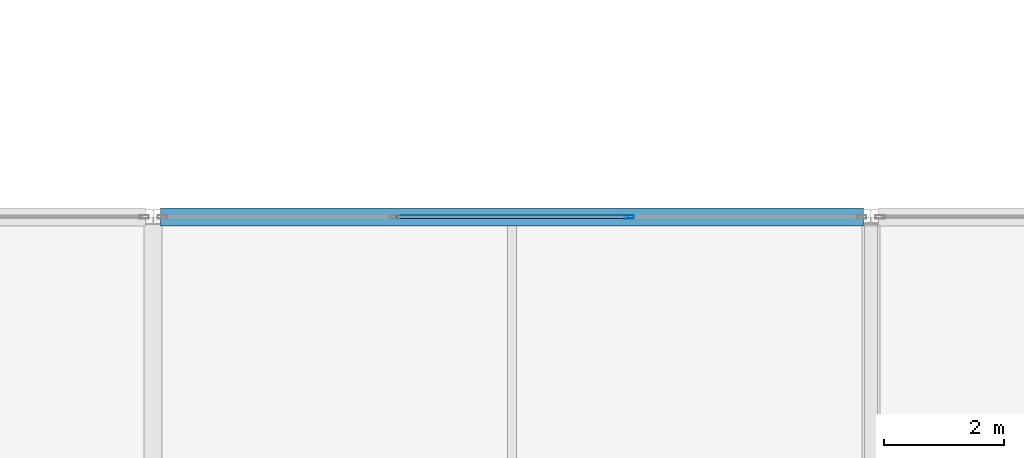
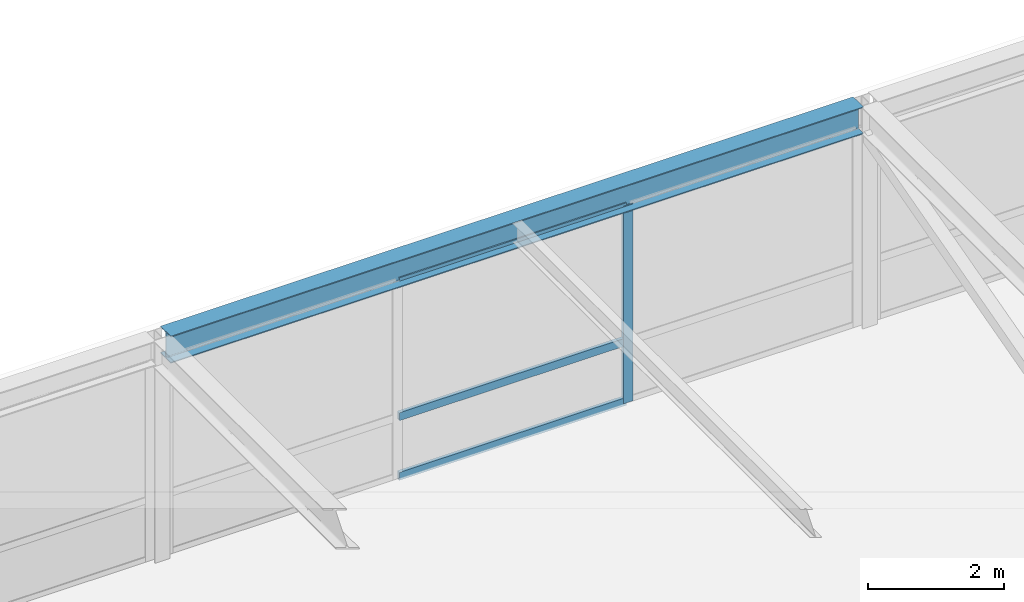
# One storey, part 31 of 111: 4 members, 1 beam, 1 element without a shape of its own.
"""IFC4 building model written with IfcOpenShell, lengths in metres."""

import ifcopenshell
import ifcopenshell.guid

model = None  # the IFC model being written
_history = None  # IfcOwnerHistory: only IFC2X3 demands one
_inside = {}  # id of a spatial element -> (the spatial element, [elements in it])
_under = {}  # id of a project, library or spatial element -> (it, [spatial elements below it])
_declared = {}  # id of a project -> (the project, [libraries it declares])
_typed = {}  # id of a type object -> (the type object, [elements of that type])
_made_of = {}  # id of a material, layer set ... -> (it, [elements and type objects made of it])


def new_model(schema):
    """Start an empty IFC model of exactly this schema.

    Asked for "IFC4X3", IfcOpenShell would pick the latest addendum, in which some entities
    have other attributes; the version numbers below select the first issue.
    IFC2X3 requires an IfcOwnerHistory on every rooted entity: one is made here for all.
    """
    global model, _history
    if schema == "IFC4X3":
        model = ifcopenshell.file(schema_version=(4, 3, 0, 0))
    else:
        model = ifcopenshell.file(schema=schema)
    _inside.clear()
    _under.clear()
    _declared.clear()
    _typed.clear()
    _made_of.clear()
    _history = None
    if model.schema == "IFC2X3":
        org = make("IfcOrganization", Name="unknown")
        user = make(
            "IfcPersonAndOrganization",
            ThePerson=make("IfcPerson", FamilyName="unknown"),
            TheOrganization=org,
        )
        app = make(
            "IfcApplication",
            ApplicationDeveloper=org,
            Version="unknown",
            ApplicationFullName="unknown",
            ApplicationIdentifier="unknown",
        )
        _history = make(
            "IfcOwnerHistory",
            OwningUser=user,
            OwningApplication=app,
            ChangeAction="ADDED",
            CreationDate=0,
        )
    return model


def make(cls, **values):
    """One entity of the class cls with the attributes given. An attribute that is None is left unset."""
    return model.create_entity(
        cls, **{name: value for name, value in values.items() if value is not None}
    )


def rooted(cls, **values):
    """An entity with a GlobalId (a new one), such as an element, a storey or a relation."""
    return make(cls, GlobalId=ifcopenshell.guid.new(), OwnerHistory=_history, **values)


def si_unit(unit_type, name, prefix=None):
    """IfcSIUnit, for example si_unit("LENGTHUNIT", "METRE", prefix="MILLI")."""
    return make("IfcSIUnit", UnitType=unit_type, Prefix=prefix, Name=name)


def assignment(units):
    """IfcUnitAssignment: the units of a project."""
    return None if units is None else make("IfcUnitAssignment", Units=units)


def point(xyz):
    """IfcCartesianPoint."""
    return None if xyz is None else make("IfcCartesianPoint", Coordinates=xyz)


def direction(xyz):
    """IfcDirection."""
    return None if xyz is None else make("IfcDirection", DirectionRatios=xyz)


def frame(location, z_axis=None, x_axis=None):
    """IfcAxis2Placement3D, a coordinate frame: its origin and axes. An axis left out is left unset."""
    return make(
        "IfcAxis2Placement3D",
        Location=point(location),
        Axis=direction(z_axis),
        RefDirection=direction(x_axis),
    )


def frame_2d(location, x_axis=None):
    """IfcAxis2Placement2D, a coordinate frame in the plane: its origin and x axis."""
    return make(
        "IfcAxis2Placement2D", Location=point(location), RefDirection=direction(x_axis)
    )


def origin():
    """The frame at (0, 0, 0) with its axes left unset."""
    return frame((0.0, 0.0, 0.0))


def origin_2d():
    """The frame at (0, 0) in the plane with its x axis left unset."""
    return frame_2d((0.0, 0.0))


def place(relative_to, where):
    """IfcLocalPlacement: puts the frame where relative to a parent placement (None: the world)."""
    return make(
        "IfcLocalPlacement", PlacementRelTo=relative_to, RelativePlacement=where
    )


def context(
    kind, dimensions, precision=None, world=None, true_north=None, identifier=None
):
    """IfcGeometricRepresentationContext, for example the 3D "Model" context."""
    return make(
        "IfcGeometricRepresentationContext",
        ContextIdentifier=identifier,
        ContextType=kind,
        CoordinateSpaceDimension=dimensions,
        Precision=precision,
        WorldCoordinateSystem=world,
        TrueNorth=true_north,
    )


def subcontext(parent, identifier, kind, view, scale=None):
    """IfcGeometricRepresentationSubContext, for example "Body" below "Model"."""
    return make(
        "IfcGeometricRepresentationSubContext",
        ContextIdentifier=identifier,
        ContextType=kind,
        ParentContext=parent,
        TargetScale=scale,
        TargetView=view,
    )


def project(units=None, contexts=None):
    """IfcProject with its units and contexts."""
    return rooted(
        "IfcProject",
        Name="project",
        RepresentationContexts=contexts,
        UnitsInContext=assignment(units),
    )


def spatial(cls, under=None, at=None, **own):
    """A site, building, storey or space (cls), placed at a placement, below another one or the project."""
    s = rooted(cls, ObjectPlacement=at, **own)
    if under is not None:
        _under.setdefault(under.id(), (under, []))[1].append(s)
    return s


def profile(cls, at=None, kind="AREA", **sizes):
    """A parametric profile (cls). Its sizes go by their IFC names, for example OverallWidth=200.0."""
    return make(cls, ProfileType=kind, Position=at, **sizes)


def hollow_rectangle(**sizes):
    """IfcRectangleHollowProfileDef."""
    return profile("IfcRectangleHollowProfileDef", **sizes)


def i_section(**sizes):
    """IfcIShapeProfileDef."""
    return profile("IfcIShapeProfileDef", **sizes)


def extrude(swept, where, along, depth):
    """IfcExtrudedAreaSolid: the profile swept, set in the frame where, extruded along a direction by depth."""
    return make(
        "IfcExtrudedAreaSolid",
        SweptArea=swept,
        Position=where,
        ExtrudedDirection=direction(along),
        Depth=depth,
    )


def shape(context_of_items, identifier, shape_type, items):
    """IfcShapeRepresentation: the items that make up one representation, for example the "Body"."""
    return make(
        "IfcShapeRepresentation",
        ContextOfItems=context_of_items,
        RepresentationIdentifier=identifier,
        RepresentationType=shape_type,
        Items=items,
    )


def material(Name=None, Category=None):
    """IfcMaterial."""
    return make("IfcMaterial", Name=Name, Category=Category)


def layer(
    of_material, thickness, ventilated=None, Name=None, Category=None, Priority=None
):
    """IfcMaterialLayer: one layer of a wall or slab, of a material (None: an air gap)."""
    return make(
        "IfcMaterialLayer",
        Material=of_material,
        LayerThickness=thickness,
        IsVentilated=ventilated,
        Name=Name,
        Category=Category,
        Priority=Priority,
    )


def layer_set(layers, Name=None):
    """IfcMaterialLayerSet."""
    return make("IfcMaterialLayerSet", MaterialLayers=layers, LayerSetName=Name)


def material_profile(
    of_material, cross_section, Name=None, Category=None, Priority=None
):
    """IfcMaterialProfile: a cross section and its material."""
    return make(
        "IfcMaterialProfile",
        Name=Name,
        Material=of_material,
        Profile=cross_section,
        Priority=Priority,
        Category=Category,
    )


def profile_set(profiles, Name=None, composite=None):
    """IfcMaterialProfileSet."""
    return make(
        "IfcMaterialProfileSet",
        Name=Name,
        MaterialProfiles=profiles,
        CompositeProfile=composite,
    )


def made_of(thing, what):
    """Note that an element or type object is made of a material, layer set ...; save() writes the relation."""
    if what is not None:
        _made_of.setdefault(what.id(), (what, []))[1].append(thing)
    return thing


def type_object(cls, material=None, **own):
    """A type object (cls), such as IfcWallType, which elements share."""
    return made_of(rooted(cls, **own), material)


def element(
    cls,
    number,
    at=None,
    inside=None,
    cuts=None,
    type_object=None,
    material=None,
    context=None,
    identifier="Body",
    shape_type=None,
    held_by="IfcProductDefinitionShape",
    body=None,
    shapes=None,
    **own,
):
    """One element of the class cls, such as IfcWall. Its Tag is "e" and its number.

    at: its placement. inside: the storey or other place that contains it. cuts: it is an
    opening in that element (IfcRelVoidsElement). A single representation is given by context,
    identifier, shape_type and body (its items); several are given by shapes. held_by: the class
    of the entity that holds the representations. save() writes the other relations.
    """
    e = rooted(cls, Tag="e%d" % number, ObjectPlacement=at, **own)
    if body is not None:
        shapes = [shape(context, identifier, shape_type, body)]
    if shapes is not None:
        e.Representation = make(held_by, Representations=shapes)
    if inside is not None:
        _inside.setdefault(inside.id(), (inside, []))[1].append(e)
    if cuts is not None:
        rooted(
            "IfcRelVoidsElement", RelatingBuildingElement=cuts, RelatedOpeningElement=e
        )
    if type_object is not None:
        _typed.setdefault(type_object.id(), (type_object, []))[1].append(e)
    return made_of(e, material)


def aggregate(whole, parts):
    """IfcRelAggregates: a whole, such as a stair, and the parts it consists of."""
    return rooted("IfcRelAggregates", RelatingObject=whole, RelatedObjects=parts)


def save(model, path):
    """Write the relations noted so far, then the file.

    IfcRelAggregates (storeys below a building ...), IfcRelContainedInSpatialStructure (elements
    in a storey), IfcRelDefinesByType, IfcRelAssociatesMaterial and IfcRelDeclares: one each for
    every whole, place, type object, material and project.
    """
    for whole, parts in _under.values():
        aggregate(whole, parts)
    for where, things in _inside.values():
        rooted(
            "IfcRelContainedInSpatialStructure",
            RelatedElements=things,
            RelatingStructure=where,
        )
    for kind, things in _typed.values():
        rooted("IfcRelDefinesByType", RelatedObjects=things, RelatingType=kind)
    for what, things in _made_of.values():
        rooted("IfcRelAssociatesMaterial", RelatedObjects=things, RelatingMaterial=what)
    for by, libraries in _declared.values():
        rooted("IfcRelDeclares", RelatingContext=by, RelatedDefinitions=libraries)
    model.write(path)


model = new_model("IFC4")

# Units and contexts
model_context = context("Model", 3, precision=1e-05, world=origin(), true_north=direction((0.0, 1.0)))
body_context = subcontext(model_context, "Body", "Model", "MODEL_VIEW")
ifc_project = project(units=[si_unit("LENGTHUNIT", "METRE"), si_unit("AREAUNIT", "SQUARE_METRE"), si_unit("VOLUMEUNIT", "CUBIC_METRE"), si_unit("PLANEANGLEUNIT", "RADIAN"), si_unit("MASSUNIT", "GRAM", prefix="KILO")], contexts=[model_context])

# Site, building, storey
site_placement = place(None, origin())
site = spatial("IfcSite", under=ifc_project, at=site_placement, CompositionType="ELEMENT")
building_placement = place(site_placement, origin())
building = spatial("IfcBuilding", under=site, at=building_placement, Name="Zlatovratsky Civic Hall", CompositionType="ELEMENT")
storey_placement = place(building_placement, frame((0.0, 0.0, 16.5)))
storey = spatial("IfcBuildingStorey", under=building, at=storey_placement, Name="L04", CompositionType="ELEMENT", Elevation=16.5)

# Beam
ifc_material_1 = material(Name="Steel S355", Category="steel")
ifc_material_profile_1 = material_profile(ifc_material_1, i_section(OverallWidth=0.300048828125, OverallDepth=0.487060546875, WebThickness=0.014404296875, FlangeThickness=0.017578125, FilletRadius=0.02392578125, at=origin_2d()), Name="50Sh2")
ifc_profile_set_1 = profile_set([ifc_material_profile_1], Name="Steel S355")
beam_type = type_object("IfcBeamType", Name="Beam_ArchiveGirder_50Sh2", PredefinedType="BEAM", material=ifc_profile_set_1)
beam_placement = place(storey_placement, frame((24.125, 30.0, 3.756591796875), z_axis=(1.0, 0.0, 0.0), x_axis=(0.0, 1.0, 0.0)))
element("IfcBeam", 1, at=beam_placement, inside=storey, type_object=beam_type, Name="BM-3259", PredefinedType="BEAM", context=body_context, shape_type="SweptSolid", body=[
    extrude(i_section(OverallWidth=0.300048828125, OverallDepth=0.487060546875, WebThickness=0.014404296875, FlangeThickness=0.017578125, FilletRadius=0.02392578125, at=origin_2d()), origin(), (0.0, 0.0, 1.0), 11.75),
])

# Curtain wall, members
ifc_material_2 = material(Name="Anodised bronze aluminium", Category="aluminium")
ifc_layer = layer(ifc_material_2, 0.159912109375)
ifc_layer_set = layer_set([ifc_layer], Name="Anodised bronze aluminium")
curtain_wall_type = type_object("IfcCurtainWallType", Name="CurtainWall_Bronze_11750x3550_17", PredefinedType="NOTDEFINED", material=ifc_layer_set)
curtain_wall_placement = place(storey_placement, origin())
curtain_wall = element("IfcCurtainWall", 2, at=curtain_wall_placement, inside=storey, type_object=curtain_wall_type, Name="CW-094", PredefinedType="NOTDEFINED")
ifc_material_profile_2 = material_profile(ifc_material_2, hollow_rectangle(XDim=0.06005859375, YDim=0.159912109375, WallThickness=0.00390625, at=origin_2d()), Name="ALU 60x160x4")
ifc_profile_set_2 = profile_set([ifc_material_profile_2], Name="Anodised bronze aluminium")
member_type_1 = type_object("IfcMemberType", Name="CW_Mullion_60x160", PredefinedType="MULLION", material=ifc_profile_set_2)
member_1_placement = place(storey_placement, frame((31.958251953125, 30.0, 0.0), z_axis=(0.0, 0.0, 1.0), x_axis=(0.0, 1.0, 0.0)))
member_1 = element("IfcMember", 3, at=member_1_placement, type_object=member_type_1, Name="CW-17 mullion 3", PredefinedType="MULLION", context=body_context, shape_type="SweptSolid", body=[
    extrude(hollow_rectangle(XDim=0.06005859375, YDim=0.159912109375, WallThickness=0.00390625, at=origin_2d()), origin(), (0.0, 0.0, 1.0), 3.550048828125),
])
ifc_material_profile_3 = material_profile(ifc_material_2, hollow_rectangle(XDim=0.06005859375, YDim=0.139892578125, WallThickness=0.00390625, at=origin_2d()), Name="ALU 60x140x4")
ifc_profile_set_3 = profile_set([ifc_material_profile_3], Name="Anodised bronze aluminium")
member_type_2 = type_object("IfcMemberType", Name="CW_Transom_60x140", PredefinedType="USERDEFINED", material=ifc_profile_set_3)
member_2_placement = place(storey_placement, frame((28.07177734375, 30.0, 0.030029296875), z_axis=(1.0, 0.0, 0.0), x_axis=(0.0, 1.0, 0.0)))
member_2 = element("IfcMember", 4, at=member_2_placement, type_object=member_type_2, Name="CW-17 transom 2.1", ObjectType="TRANSOM", PredefinedType="USERDEFINED", context=body_context, shape_type="SweptSolid", body=[
    extrude(hollow_rectangle(XDim=0.06005859375, YDim=0.139892578125, WallThickness=0.00390625, at=origin_2d()), origin(), (0.0, 0.0, 1.0), 3.8564453125),
])
member_3_placement = place(storey_placement, frame((28.07177734375, 30.0, 1.10009765625), z_axis=(1.0, 0.0, 0.0), x_axis=(0.0, 1.0, 0.0)))
member_3 = element("IfcMember", 5, at=member_3_placement, type_object=member_type_2, Name="CW-17 transom 2.2", ObjectType="TRANSOM", PredefinedType="USERDEFINED", context=body_context, shape_type="SweptSolid", body=[
    extrude(hollow_rectangle(XDim=0.06005859375, YDim=0.139892578125, WallThickness=0.00390625, at=origin_2d()), origin(), (0.0, 0.0, 1.0), 3.8564453125),
])
member_4_placement = place(storey_placement, frame((28.07177734375, 30.0, 3.52001953125), z_axis=(1.0, 0.0, 0.0), x_axis=(0.0, 1.0, 0.0)))
member_4 = element("IfcMember", 6, at=member_4_placement, type_object=member_type_2, Name="CW-17 transom 2.3", ObjectType="TRANSOM", PredefinedType="USERDEFINED", context=body_context, shape_type="SweptSolid", body=[
    extrude(hollow_rectangle(XDim=0.06005859375, YDim=0.139892578125, WallThickness=0.00390625, at=origin_2d()), origin(), (0.0, 0.0, 1.0), 3.8564453125),
])
aggregate(curtain_wall, [member_1, member_2, member_3, member_4])

save(model, "model.ifc")
